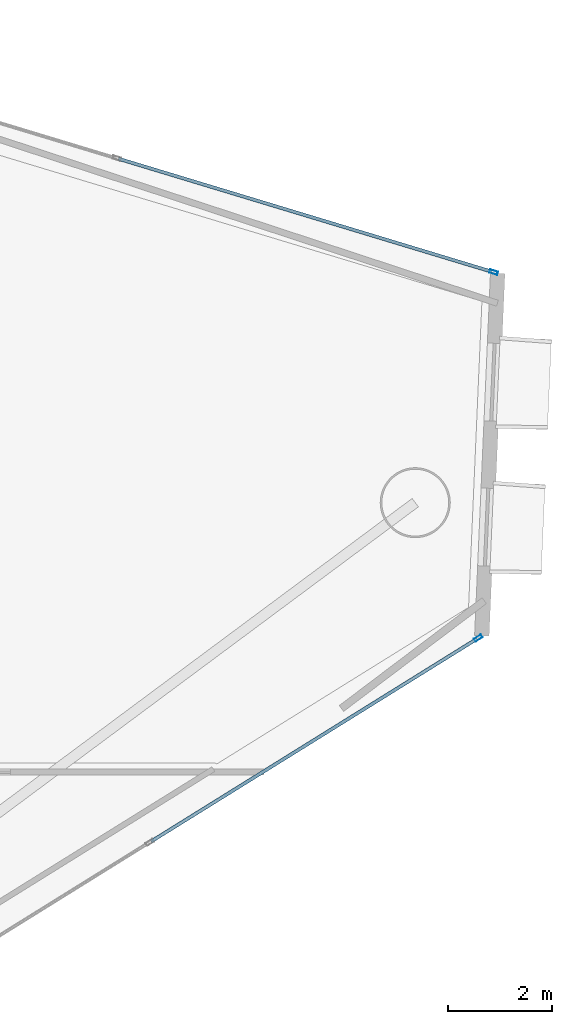
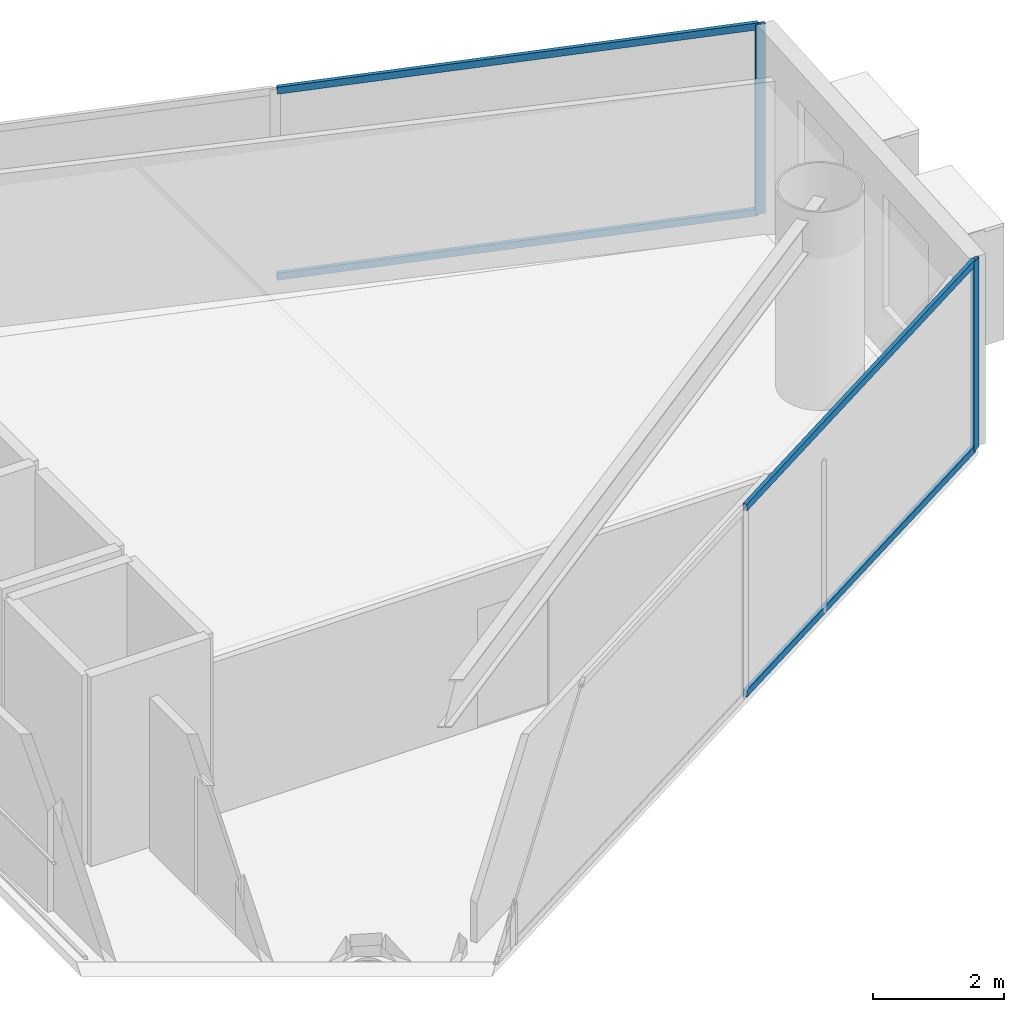
# One storey, part 15 of 22: 6 members, 2 elements without a shape of their own.
"""IFC4 building model written with IfcOpenShell, lengths in metres."""

from ifc_helpers import new_model, si_unit, direction, frame, origin, origin_2d, place, context, subcontext, project, spatial, hollow_rectangle, extrude, material, layer, layer_set, material_profile, profile_set, type_object, element, aggregate, save


model = new_model("IFC4")

# Units and contexts
model_context = context("Model", 3, precision=1e-05, world=origin(), true_north=direction((0.0, 1.0)))
body_context = subcontext(model_context, "Body", "Model", "MODEL_VIEW")
ifc_project = project(units=[si_unit("LENGTHUNIT", "METRE"), si_unit("AREAUNIT", "SQUARE_METRE"), si_unit("VOLUMEUNIT", "CUBIC_METRE"), si_unit("PLANEANGLEUNIT", "RADIAN"), si_unit("MASSUNIT", "GRAM", prefix="KILO")], contexts=[model_context])

# Site, building, storey
site_placement = place(None, origin())
site = spatial("IfcSite", under=ifc_project, at=site_placement, CompositionType="ELEMENT")
building_placement = place(site_placement, origin())
building = spatial("IfcBuilding", under=site, at=building_placement, Name="Qianvela Tower", CompositionType="ELEMENT")
storey_placement = place(building_placement, frame((0.0, 0.0, 177.199951171875)))
storey = spatial("IfcBuildingStorey", under=building, at=storey_placement, Name="L45", CompositionType="ELEMENT", Elevation=177.199951171875)

# Curtain wall, member
ifc_material_1 = material(Name="Anodised Architectural Aluminium and Low-E Glass", Category="aluminium")
ifc_layer = layer(ifc_material_1, 0.169921875)
ifc_layer_set = layer_set([ifc_layer], Name="Anodised Architectural Aluminium and Low-E Glass")
curtain_wall_type = type_object("IfcCurtainWallType", Name="CW-COLIV-Z34", PredefinedType="USERDEFINED", material=ifc_layer_set)
curtain_wall_1_placement = place(storey_placement, origin())
curtain_wall_1 = element("IfcCurtainWall", 1, at=curtain_wall_1_placement, inside=storey, type_object=curtain_wall_type, Name="L45 CW-COLIV-Z34 Curtain Wall 02A", ObjectType="CURTAIN_WALL_SYSTEM", PredefinedType="USERDEFINED")
ifc_material_2 = material(Name="Anodised Architectural Aluminium 6063-T6", Category="aluminium")
ifc_material_profile_1 = material_profile(ifc_material_2, hollow_rectangle(XDim=0.06494140625, YDim=0.159912109375, WallThickness=0.0048828125, at=origin_2d()), Name="ALU-MULL-65x160")
ifc_profile_set_1 = profile_set([ifc_material_profile_1], Name="Anodised Architectural Aluminium 6063-T6")
member_type_1 = type_object("IfcMemberType", Name="CW-COLIV-Z34-MULL", PredefinedType="MULLION", material=ifc_profile_set_1)
member_1_placement = place(storey_placement, frame((58.94384765625, 32.05859375, 0.0), z_axis=(0.0, 0.0, 1.0), x_axis=(-0.28958075251, -0.957153586305, 0.0)))
member_1 = element("IfcMember", 2, at=member_1_placement, type_object=member_type_1, Name="CW-4 mullion 1", PredefinedType="MULLION", context=body_context, shape_type="SweptSolid", body=[
    extrude(hollow_rectangle(XDim=0.06494140625, YDim=0.159912109375, WallThickness=0.0048828125, at=origin_2d()), origin(), (0.0, 0.0, 1.0), 3.52001953125),
])

curtain_wall_2_placement = place(storey_placement, origin())
curtain_wall_2 = element("IfcCurtainWall", 3, at=curtain_wall_2_placement, inside=storey, type_object=curtain_wall_type, Name="L45 CW-COLIV-Z34 Curtain Wall 06C", ObjectType="CURTAIN_WALL_SYSTEM", PredefinedType="USERDEFINED")
member_2_placement = place(storey_placement, frame((58.6474609375, 25.008544921875, 0.0), z_axis=(0.0, 0.0, 1.0), x_axis=(-0.528037643852, 0.849220964576, 0.0)))
member_2 = element("IfcMember", 4, at=member_2_placement, type_object=member_type_1, Name="CW-4 mullion 3", PredefinedType="MULLION", context=body_context, shape_type="SweptSolid", body=[
    extrude(hollow_rectangle(XDim=0.06494140625, YDim=0.159912109375, WallThickness=0.0048828125, at=origin_2d()), origin(), (0.0, 0.0, 1.0), 3.52001953125),
])

# Member
ifc_material_3 = material(Name="Anodised Architectural Aluminium 6063-T6", Category="aluminium")
ifc_material_profile_2 = material_profile(ifc_material_3, hollow_rectangle(XDim=0.06494140625, YDim=0.1298828125, WallThickness=0.00439453125, at=origin_2d()), Name="ALU-TRAN-65x130")
ifc_profile_set_2 = profile_set([ifc_material_profile_2], Name="Anodised Architectural Aluminium 6063-T6")
member_type_2 = type_object("IfcMemberType", Name="CW-COLIV-Z34-TRAN", PredefinedType="USERDEFINED", material=ifc_profile_set_2)
member_3_placement = place(storey_placement, frame((58.91259765625, 32.06787109375, 0.032470703125), z_axis=(-0.957149687158, 0.289593640078, 0.0), x_axis=(-0.289593640078, -0.957149687158, 0.0)))
member_3 = element("IfcMember", 5, at=member_3_placement, type_object=member_type_2, Name="CW-4 transom 1.1", ObjectType="TRANSOM", PredefinedType="USERDEFINED", context=body_context, shape_type="SweptSolid", body=[
    extrude(hollow_rectangle(XDim=0.06494140625, YDim=0.1298828125, WallThickness=0.00439453125, at=origin_2d()), origin(), (0.0, 0.0, 1.0), 7.517333984375),
])

member_4_placement = place(storey_placement, frame((58.91259765625, 32.06787109375, 3.487548828125), z_axis=(-0.957149687158, 0.289593640078, 0.0), x_axis=(-0.289593640078, -0.957149687158, 0.0)))
member_4 = element("IfcMember", 6, at=member_4_placement, type_object=member_type_2, Name="CW-4 transom 1.2", ObjectType="TRANSOM", PredefinedType="USERDEFINED", context=body_context, shape_type="SweptSolid", body=[
    extrude(hollow_rectangle(XDim=0.06494140625, YDim=0.1298828125, WallThickness=0.00439453125, at=origin_2d()), origin(), (0.0, 0.0, 1.0), 7.517333984375),
])

aggregate(curtain_wall_1, [member_1, member_3, member_4])

member_5_placement = place(storey_placement, frame((52.34619140625, 21.090576171875, 0.032470703125), z_axis=(0.849223246413, 0.528033974051, 0.0), x_axis=(-0.528033974051, 0.849223246413, 0.0)))
member_5 = element("IfcMember", 7, at=member_5_placement, type_object=member_type_2, Name="CW-4 transom 2.1", ObjectType="TRANSOM", PredefinedType="USERDEFINED", context=body_context, shape_type="SweptSolid", body=[
    extrude(hollow_rectangle(XDim=0.06494140625, YDim=0.1298828125, WallThickness=0.00439453125, at=origin_2d()), origin(), (0.0, 0.0, 1.0), 7.387451171875),
])

member_6_placement = place(storey_placement, frame((52.34619140625, 21.090576171875, 3.487548828125), z_axis=(0.849223246413, 0.528033974051, 0.0), x_axis=(-0.528033974051, 0.849223246413, 0.0)))
member_6 = element("IfcMember", 8, at=member_6_placement, type_object=member_type_2, Name="CW-4 transom 2.2", ObjectType="TRANSOM", PredefinedType="USERDEFINED", context=body_context, shape_type="SweptSolid", body=[
    extrude(hollow_rectangle(XDim=0.06494140625, YDim=0.1298828125, WallThickness=0.00439453125, at=origin_2d()), origin(), (0.0, 0.0, 1.0), 7.387451171875),
])

aggregate(curtain_wall_2, [member_2, member_5, member_6])

save(model, "model.ifc")
